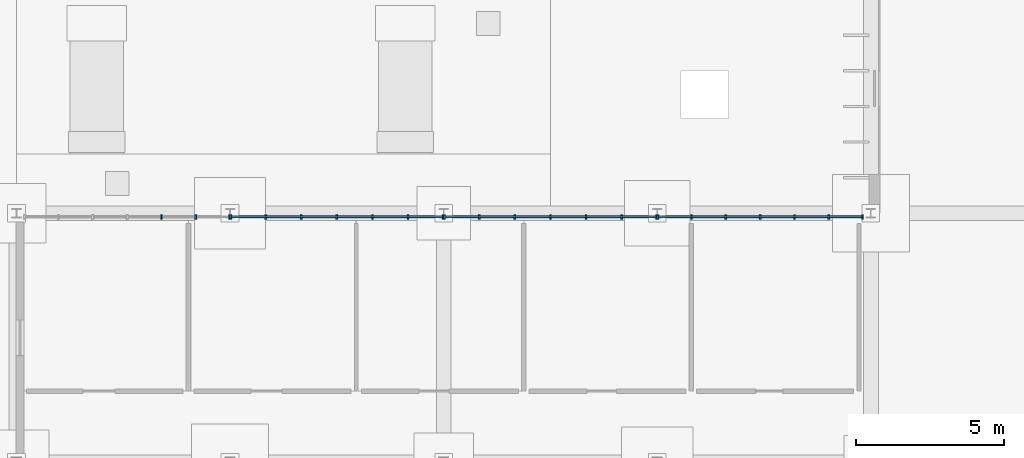
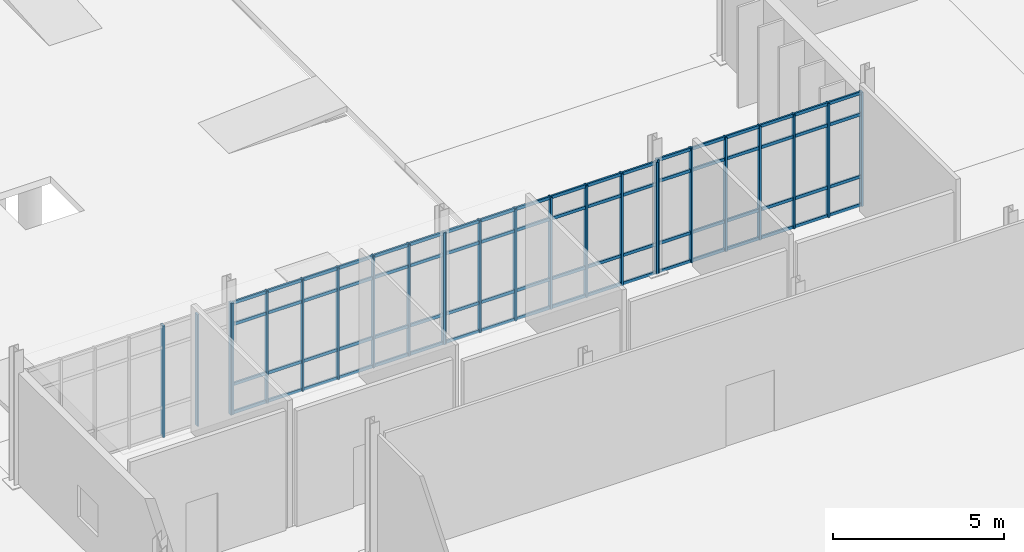
# One storey, part 36 of 118: 36 members, 4 elements without a shape of their own.
"""IFC4 building model written with IfcOpenShell, lengths in metres."""

from ifc_helpers import new_model, si_unit, direction, frame, origin, origin_2d, place, context, subcontext, project, spatial, rectangle, extrude, material, material_profile, profile_set, type_object, element, aggregate, save


model = new_model("IFC4")

# Units and contexts
model_context = context("Model", 3, precision=1e-05, world=origin(), true_north=direction((0.0, 1.0)))
body_context = subcontext(model_context, "Body", "Model", "MODEL_VIEW")
ifc_project = project(units=[si_unit("LENGTHUNIT", "METRE"), si_unit("AREAUNIT", "SQUARE_METRE"), si_unit("VOLUMEUNIT", "CUBIC_METRE"), si_unit("PLANEANGLEUNIT", "RADIAN"), si_unit("MASSUNIT", "GRAM", prefix="KILO")], contexts=[model_context])

# Site, building, storey
site_placement = place(None, origin())
site = spatial("IfcSite", under=ifc_project, at=site_placement, CompositionType="ELEMENT")
building_placement = place(site_placement, origin())
building = spatial("IfcBuilding", under=site, at=building_placement, Name="Qelthora Terrace Specialist Clinic", CompositionType="ELEMENT")
storey_placement = place(building_placement, origin())
storey = spatial("IfcBuildingStorey", under=building, at=storey_placement, Name="L00", CompositionType="ELEMENT", Elevation=0.0)

# Curtain wall, members
ifc_material = material(Name="Aluminium anodized bronze", Category="aluminium")
curtain_wall_type = type_object("IfcCurtainWallType", Name="CW-HALL-L00", PredefinedType="NOTDEFINED", material=ifc_material)
curtain_wall_1_placement = place(storey_placement, origin())
curtain_wall_1 = element("IfcCurtainWall", 1, at=curtain_wall_1_placement, inside=storey, type_object=curtain_wall_type, Name="Curtain wall CW-L00-201", PredefinedType="NOTDEFINED")
ifc_material_profile_1 = material_profile(ifc_material, rectangle(XDim=0.06005859375, YDim=0.14990234375, at=origin_2d()), Name="CWM60X150")
ifc_profile_set_1 = profile_set([ifc_material_profile_1], Name="Aluminium anodized bronze")
member_type_1 = type_object("IfcMemberType", Name="CWM-60X150", PredefinedType="MULLION", material=ifc_profile_set_1)
member_1_placement = place(storey_placement, frame((62.486572265625, 33.47998046875, 0.0), z_axis=(0.0, 0.0, 1.0), x_axis=(1.0, 0.0, 0.0)))
member_1 = element("IfcMember", 2, at=member_1_placement, type_object=member_type_1, Name="CW-L00-201 mullion 5", PredefinedType="MULLION", context=body_context, shape_type="SweptSolid", body=[
    extrude(rectangle(XDim=0.06005859375, YDim=0.14990234375, at=origin_2d()), origin(), (0.0, 0.0, 1.0), 3.998046875),
])
member_2_placement = place(storey_placement, frame((63.643310546875, 33.47998046875, 0.0), z_axis=(0.0, 0.0, 1.0), x_axis=(1.0, 0.0, 0.0)))
member_2 = element("IfcMember", 3, at=member_2_placement, type_object=member_type_1, Name="CW-L00-201 mullion 6", PredefinedType="MULLION", context=body_context, shape_type="SweptSolid", body=[
    extrude(rectangle(XDim=0.06005859375, YDim=0.14990234375, at=origin_2d()), origin(), (0.0, 0.0, 1.0), 3.998046875),
])
member_3_placement = place(storey_placement, frame((64.780029296875, 33.47998046875, 0.0), z_axis=(0.0, 0.0, 1.0), x_axis=(1.0, 0.0, 0.0)))
member_3 = element("IfcMember", 4, at=member_3_placement, type_object=member_type_1, Name="CW-L00-201 mullion 7", PredefinedType="MULLION", context=body_context, shape_type="SweptSolid", body=[
    extrude(rectangle(XDim=0.06005859375, YDim=0.14990234375, at=origin_2d()), origin(), (0.0, 0.0, 1.0), 3.998046875),
])
aggregate(curtain_wall_1, [member_1, member_2, member_3])

curtain_wall_2_placement = place(storey_placement, origin())
curtain_wall_2 = element("IfcCurtainWall", 5, at=curtain_wall_2_placement, inside=storey, type_object=curtain_wall_type, Name="Curtain wall CW-L00-202", PredefinedType="NOTDEFINED")
member_4_placement = place(storey_placement, frame((64.820068359375, 33.47998046875, 0.0), z_axis=(0.0, 0.0, 1.0), x_axis=(1.0, 0.0, 0.0)))
member_4 = element("IfcMember", 6, at=member_4_placement, type_object=member_type_1, Name="CW-L00-202 mullion 1", PredefinedType="MULLION", context=body_context, shape_type="SweptSolid", body=[
    extrude(rectangle(XDim=0.06005859375, YDim=0.14990234375, at=origin_2d()), origin(), (0.0, 0.0, 1.0), 3.998046875),
])
member_5_placement = place(storey_placement, frame((66.0, 33.47998046875, 0.0), z_axis=(0.0, 0.0, 1.0), x_axis=(1.0, 0.0, 0.0)))
member_5 = element("IfcMember", 7, at=member_5_placement, type_object=member_type_1, Name="CW-L00-202 mullion 2", PredefinedType="MULLION", context=body_context, shape_type="SweptSolid", body=[
    extrude(rectangle(XDim=0.06005859375, YDim=0.14990234375, at=origin_2d()), origin(), (0.0, 0.0, 1.0), 3.998046875),
])
member_6_placement = place(storey_placement, frame((67.199951171875, 33.47998046875, 0.0), z_axis=(0.0, 0.0, 1.0), x_axis=(1.0, 0.0, 0.0)))
member_6 = element("IfcMember", 8, at=member_6_placement, type_object=member_type_1, Name="CW-L00-202 mullion 3", PredefinedType="MULLION", context=body_context, shape_type="SweptSolid", body=[
    extrude(rectangle(XDim=0.06005859375, YDim=0.14990234375, at=origin_2d()), origin(), (0.0, 0.0, 1.0), 3.998046875),
])
member_7_placement = place(storey_placement, frame((68.39990234375, 33.47998046875, 0.0), z_axis=(0.0, 0.0, 1.0), x_axis=(1.0, 0.0, 0.0)))
member_7 = element("IfcMember", 9, at=member_7_placement, type_object=member_type_1, Name="CW-L00-202 mullion 4", PredefinedType="MULLION", context=body_context, shape_type="SweptSolid", body=[
    extrude(rectangle(XDim=0.06005859375, YDim=0.14990234375, at=origin_2d()), origin(), (0.0, 0.0, 1.0), 3.998046875),
])
member_8_placement = place(storey_placement, frame((69.60009765625, 33.47998046875, 0.0), z_axis=(0.0, 0.0, 1.0), x_axis=(1.0, 0.0, 0.0)))
member_8 = element("IfcMember", 10, at=member_8_placement, type_object=member_type_1, Name="CW-L00-202 mullion 5", PredefinedType="MULLION", context=body_context, shape_type="SweptSolid", body=[
    extrude(rectangle(XDim=0.06005859375, YDim=0.14990234375, at=origin_2d()), origin(), (0.0, 0.0, 1.0), 3.998046875),
])
member_9_placement = place(storey_placement, frame((70.800048828125, 33.47998046875, 0.0), z_axis=(0.0, 0.0, 1.0), x_axis=(1.0, 0.0, 0.0)))
member_9 = element("IfcMember", 11, at=member_9_placement, type_object=member_type_1, Name="CW-L00-202 mullion 6", PredefinedType="MULLION", context=body_context, shape_type="SweptSolid", body=[
    extrude(rectangle(XDim=0.06005859375, YDim=0.14990234375, at=origin_2d()), origin(), (0.0, 0.0, 1.0), 3.998046875),
])
member_10_placement = place(storey_placement, frame((71.97998046875, 33.47998046875, 0.0), z_axis=(0.0, 0.0, 1.0), x_axis=(1.0, 0.0, 0.0)))
member_10 = element("IfcMember", 12, at=member_10_placement, type_object=member_type_1, Name="CW-L00-202 mullion 7", PredefinedType="MULLION", context=body_context, shape_type="SweptSolid", body=[
    extrude(rectangle(XDim=0.06005859375, YDim=0.14990234375, at=origin_2d()), origin(), (0.0, 0.0, 1.0), 3.998046875),
])

curtain_wall_3_placement = place(storey_placement, origin())
curtain_wall_3 = element("IfcCurtainWall", 13, at=curtain_wall_3_placement, inside=storey, type_object=curtain_wall_type, Name="Curtain wall CW-L00-203", PredefinedType="NOTDEFINED")
member_11_placement = place(storey_placement, frame((72.02001953125, 33.47998046875, 0.0), z_axis=(0.0, 0.0, 1.0), x_axis=(1.0, 0.0, 0.0)))
member_11 = element("IfcMember", 14, at=member_11_placement, type_object=member_type_1, Name="CW-L00-203 mullion 1", PredefinedType="MULLION", context=body_context, shape_type="SweptSolid", body=[
    extrude(rectangle(XDim=0.06005859375, YDim=0.14990234375, at=origin_2d()), origin(), (0.0, 0.0, 1.0), 4.0048828125),
])
member_12_placement = place(storey_placement, frame((73.199951171875, 33.47998046875, 0.0), z_axis=(0.0, 0.0, 1.0), x_axis=(1.0, 0.0, 0.0)))
member_12 = element("IfcMember", 15, at=member_12_placement, type_object=member_type_1, Name="CW-L00-203 mullion 2", PredefinedType="MULLION", context=body_context, shape_type="SweptSolid", body=[
    extrude(rectangle(XDim=0.06005859375, YDim=0.14990234375, at=origin_2d()), origin(), (0.0, 0.0, 1.0), 4.0048828125),
])
member_13_placement = place(storey_placement, frame((74.39990234375, 33.47998046875, 0.0), z_axis=(0.0, 0.0, 1.0), x_axis=(1.0, 0.0, 0.0)))
member_13 = element("IfcMember", 16, at=member_13_placement, type_object=member_type_1, Name="CW-L00-203 mullion 3", PredefinedType="MULLION", context=body_context, shape_type="SweptSolid", body=[
    extrude(rectangle(XDim=0.06005859375, YDim=0.14990234375, at=origin_2d()), origin(), (0.0, 0.0, 1.0), 4.0048828125),
])
member_14_placement = place(storey_placement, frame((75.60009765625, 33.47998046875, 0.0), z_axis=(0.0, 0.0, 1.0), x_axis=(1.0, 0.0, 0.0)))
member_14 = element("IfcMember", 17, at=member_14_placement, type_object=member_type_1, Name="CW-L00-203 mullion 4", PredefinedType="MULLION", context=body_context, shape_type="SweptSolid", body=[
    extrude(rectangle(XDim=0.06005859375, YDim=0.14990234375, at=origin_2d()), origin(), (0.0, 0.0, 1.0), 4.0048828125),
])
member_15_placement = place(storey_placement, frame((76.800048828125, 33.47998046875, 0.0), z_axis=(0.0, 0.0, 1.0), x_axis=(1.0, 0.0, 0.0)))
member_15 = element("IfcMember", 18, at=member_15_placement, type_object=member_type_1, Name="CW-L00-203 mullion 5", PredefinedType="MULLION", context=body_context, shape_type="SweptSolid", body=[
    extrude(rectangle(XDim=0.06005859375, YDim=0.14990234375, at=origin_2d()), origin(), (0.0, 0.0, 1.0), 4.0048828125),
])
member_16_placement = place(storey_placement, frame((78.0, 33.47998046875, 0.0), z_axis=(0.0, 0.0, 1.0), x_axis=(1.0, 0.0, 0.0)))
member_16 = element("IfcMember", 19, at=member_16_placement, type_object=member_type_1, Name="CW-L00-203 mullion 6", PredefinedType="MULLION", context=body_context, shape_type="SweptSolid", body=[
    extrude(rectangle(XDim=0.06005859375, YDim=0.14990234375, at=origin_2d()), origin(), (0.0, 0.0, 1.0), 4.0048828125),
])
member_17_placement = place(storey_placement, frame((79.179931640625, 33.47998046875, 0.0), z_axis=(0.0, 0.0, 1.0), x_axis=(1.0, 0.0, 0.0)))
member_17 = element("IfcMember", 20, at=member_17_placement, type_object=member_type_1, Name="CW-L00-203 mullion 7", PredefinedType="MULLION", context=body_context, shape_type="SweptSolid", body=[
    extrude(rectangle(XDim=0.06005859375, YDim=0.14990234375, at=origin_2d()), origin(), (0.0, 0.0, 1.0), 4.0048828125),
])

curtain_wall_4_placement = place(storey_placement, origin())
curtain_wall_4 = element("IfcCurtainWall", 21, at=curtain_wall_4_placement, inside=storey, type_object=curtain_wall_type, Name="Curtain wall CW-L00-204", PredefinedType="NOTDEFINED")
member_18_placement = place(storey_placement, frame((79.219970703125, 33.47998046875, 0.0), z_axis=(0.0, 0.0, 1.0), x_axis=(1.0, 0.0, 0.0)))
member_18 = element("IfcMember", 22, at=member_18_placement, type_object=member_type_1, Name="CW-L00-204 mullion 1", PredefinedType="MULLION", context=body_context, shape_type="SweptSolid", body=[
    extrude(rectangle(XDim=0.06005859375, YDim=0.14990234375, at=origin_2d()), origin(), (0.0, 0.0, 1.0), 4.075927734375),
])
member_19_placement = place(storey_placement, frame((80.356689453125, 33.47998046875, 0.0), z_axis=(0.0, 0.0, 1.0), x_axis=(1.0, 0.0, 0.0)))
member_19 = element("IfcMember", 23, at=member_19_placement, type_object=member_type_1, Name="CW-L00-204 mullion 2", PredefinedType="MULLION", context=body_context, shape_type="SweptSolid", body=[
    extrude(rectangle(XDim=0.06005859375, YDim=0.14990234375, at=origin_2d()), origin(), (0.0, 0.0, 1.0), 4.075927734375),
])
member_20_placement = place(storey_placement, frame((81.513427734375, 33.47998046875, 0.0), z_axis=(0.0, 0.0, 1.0), x_axis=(1.0, 0.0, 0.0)))
member_20 = element("IfcMember", 24, at=member_20_placement, type_object=member_type_1, Name="CW-L00-204 mullion 3", PredefinedType="MULLION", context=body_context, shape_type="SweptSolid", body=[
    extrude(rectangle(XDim=0.06005859375, YDim=0.14990234375, at=origin_2d()), origin(), (0.0, 0.0, 1.0), 4.075927734375),
])
member_21_placement = place(storey_placement, frame((82.669921875, 33.47998046875, 0.0), z_axis=(0.0, 0.0, 1.0), x_axis=(1.0, 0.0, 0.0)))
member_21 = element("IfcMember", 25, at=member_21_placement, type_object=member_type_1, Name="CW-L00-204 mullion 4", PredefinedType="MULLION", context=body_context, shape_type="SweptSolid", body=[
    extrude(rectangle(XDim=0.06005859375, YDim=0.14990234375, at=origin_2d()), origin(), (0.0, 0.0, 1.0), 4.075927734375),
])
member_22_placement = place(storey_placement, frame((83.82666015625, 33.47998046875, 0.0), z_axis=(0.0, 0.0, 1.0), x_axis=(1.0, 0.0, 0.0)))
member_22 = element("IfcMember", 26, at=member_22_placement, type_object=member_type_1, Name="CW-L00-204 mullion 5", PredefinedType="MULLION", context=body_context, shape_type="SweptSolid", body=[
    extrude(rectangle(XDim=0.06005859375, YDim=0.14990234375, at=origin_2d()), origin(), (0.0, 0.0, 1.0), 4.075927734375),
])
member_23_placement = place(storey_placement, frame((84.9833984375, 33.47998046875, 0.0), z_axis=(0.0, 0.0, 1.0), x_axis=(1.0, 0.0, 0.0)))
member_23 = element("IfcMember", 27, at=member_23_placement, type_object=member_type_1, Name="CW-L00-204 mullion 6", PredefinedType="MULLION", context=body_context, shape_type="SweptSolid", body=[
    extrude(rectangle(XDim=0.06005859375, YDim=0.14990234375, at=origin_2d()), origin(), (0.0, 0.0, 1.0), 4.075927734375),
])
member_24_placement = place(storey_placement, frame((86.1201171875, 33.47998046875, 0.0), z_axis=(0.0, 0.0, 1.0), x_axis=(1.0, 0.0, 0.0)))
member_24 = element("IfcMember", 28, at=member_24_placement, type_object=member_type_1, Name="CW-L00-204 mullion 7", PredefinedType="MULLION", context=body_context, shape_type="SweptSolid", body=[
    extrude(rectangle(XDim=0.06005859375, YDim=0.14990234375, at=origin_2d()), origin(), (0.0, 0.0, 1.0), 4.075927734375),
])

# Member
ifc_material_profile_2 = material_profile(ifc_material, rectangle(XDim=0.06005859375, YDim=0.110107421875, at=origin_2d()), Name="CWT60X110")
ifc_profile_set_2 = profile_set([ifc_material_profile_2], Name="Aluminium anodized bronze")
member_type_2 = type_object("IfcMemberType", Name="CWT-60X110", PredefinedType="USERDEFINED", material=ifc_profile_set_2)
member_25_placement = place(storey_placement, frame((64.840087890625, 33.47998046875, 0.0400390625), z_axis=(1.0, 0.0, 0.0), x_axis=(0.0, 1.0, 0.0)))
member_25 = element("IfcMember", 29, at=member_25_placement, type_object=member_type_2, Name="CW-L00-202 transom 1", ObjectType="TRANSOM", PredefinedType="USERDEFINED", context=body_context, shape_type="SweptSolid", body=[
    extrude(rectangle(XDim=0.06005859375, YDim=0.110107421875, at=origin_2d()), origin(), (0.0, 0.0, 1.0), 7.119873046875),
])

member_26_placement = place(storey_placement, frame((64.840087890625, 33.47998046875, 1.050048828125), z_axis=(1.0, 0.0, 0.0), x_axis=(0.0, 1.0, 0.0)))
member_26 = element("IfcMember", 30, at=member_26_placement, type_object=member_type_2, Name="CW-L00-202 transom 2", ObjectType="TRANSOM", PredefinedType="USERDEFINED", context=body_context, shape_type="SweptSolid", body=[
    extrude(rectangle(XDim=0.06005859375, YDim=0.110107421875, at=origin_2d()), origin(), (0.0, 0.0, 1.0), 7.119873046875),
])

member_27_placement = place(storey_placement, frame((64.840087890625, 33.47998046875, 3.197998046875), z_axis=(1.0, 0.0, 0.0), x_axis=(0.0, 1.0, 0.0)))
member_27 = element("IfcMember", 31, at=member_27_placement, type_object=member_type_2, Name="CW-L00-202 transom 3", ObjectType="TRANSOM", PredefinedType="USERDEFINED", context=body_context, shape_type="SweptSolid", body=[
    extrude(rectangle(XDim=0.06005859375, YDim=0.110107421875, at=origin_2d()), origin(), (0.0, 0.0, 1.0), 7.119873046875),
])

member_28_placement = place(storey_placement, frame((64.840087890625, 33.47998046875, 3.9580078125), z_axis=(1.0, 0.0, 0.0), x_axis=(0.0, 1.0, 0.0)))
member_28 = element("IfcMember", 32, at=member_28_placement, type_object=member_type_2, Name="CW-L00-202 transom 4", ObjectType="TRANSOM", PredefinedType="USERDEFINED", context=body_context, shape_type="SweptSolid", body=[
    extrude(rectangle(XDim=0.06005859375, YDim=0.110107421875, at=origin_2d()), origin(), (0.0, 0.0, 1.0), 7.119873046875),
])

aggregate(curtain_wall_2, [member_4, member_5, member_6, member_7, member_8, member_9, member_10, member_25, member_26, member_27, member_28])

member_29_placement = place(storey_placement, frame((72.0400390625, 33.47998046875, 0.0400390625), z_axis=(1.0, 0.0, 0.0), x_axis=(0.0, 1.0, 0.0)))
member_29 = element("IfcMember", 33, at=member_29_placement, type_object=member_type_2, Name="CW-L00-203 transom 1", ObjectType="TRANSOM", PredefinedType="USERDEFINED", context=body_context, shape_type="SweptSolid", body=[
    extrude(rectangle(XDim=0.06005859375, YDim=0.110107421875, at=origin_2d()), origin(), (0.0, 0.0, 1.0), 7.119873046875),
])

member_30_placement = place(storey_placement, frame((72.0400390625, 33.47998046875, 1.050048828125), z_axis=(1.0, 0.0, 0.0), x_axis=(0.0, 1.0, 0.0)))
member_30 = element("IfcMember", 34, at=member_30_placement, type_object=member_type_2, Name="CW-L00-203 transom 2", ObjectType="TRANSOM", PredefinedType="USERDEFINED", context=body_context, shape_type="SweptSolid", body=[
    extrude(rectangle(XDim=0.06005859375, YDim=0.110107421875, at=origin_2d()), origin(), (0.0, 0.0, 1.0), 7.119873046875),
])

member_31_placement = place(storey_placement, frame((72.0400390625, 33.47998046875, 3.205078125), z_axis=(1.0, 0.0, 0.0), x_axis=(0.0, 1.0, 0.0)))
member_31 = element("IfcMember", 35, at=member_31_placement, type_object=member_type_2, Name="CW-L00-203 transom 3", ObjectType="TRANSOM", PredefinedType="USERDEFINED", context=body_context, shape_type="SweptSolid", body=[
    extrude(rectangle(XDim=0.06005859375, YDim=0.110107421875, at=origin_2d()), origin(), (0.0, 0.0, 1.0), 7.119873046875),
])

member_32_placement = place(storey_placement, frame((72.0400390625, 33.47998046875, 3.965087890625), z_axis=(1.0, 0.0, 0.0), x_axis=(0.0, 1.0, 0.0)))
member_32 = element("IfcMember", 36, at=member_32_placement, type_object=member_type_2, Name="CW-L00-203 transom 4", ObjectType="TRANSOM", PredefinedType="USERDEFINED", context=body_context, shape_type="SweptSolid", body=[
    extrude(rectangle(XDim=0.06005859375, YDim=0.110107421875, at=origin_2d()), origin(), (0.0, 0.0, 1.0), 7.119873046875),
])

aggregate(curtain_wall_3, [member_11, member_12, member_13, member_14, member_15, member_16, member_17, member_29, member_30, member_31, member_32])

member_33_placement = place(storey_placement, frame((79.239990234375, 33.47998046875, 0.0400390625), z_axis=(1.0, 0.0, 0.0), x_axis=(0.0, 1.0, 0.0)))
member_33 = element("IfcMember", 37, at=member_33_placement, type_object=member_type_2, Name="CW-L00-204 transom 1", ObjectType="TRANSOM", PredefinedType="USERDEFINED", context=body_context, shape_type="SweptSolid", body=[
    extrude(rectangle(XDim=0.06005859375, YDim=0.110107421875, at=origin_2d()), origin(), (0.0, 0.0, 1.0), 6.860107421875),
])

member_34_placement = place(storey_placement, frame((79.239990234375, 33.47998046875, 1.050048828125), z_axis=(1.0, 0.0, 0.0), x_axis=(0.0, 1.0, 0.0)))
member_34 = element("IfcMember", 38, at=member_34_placement, type_object=member_type_2, Name="CW-L00-204 transom 2", ObjectType="TRANSOM", PredefinedType="USERDEFINED", context=body_context, shape_type="SweptSolid", body=[
    extrude(rectangle(XDim=0.06005859375, YDim=0.110107421875, at=origin_2d()), origin(), (0.0, 0.0, 1.0), 6.860107421875),
])

member_35_placement = place(storey_placement, frame((79.239990234375, 33.47998046875, 3.27587890625), z_axis=(1.0, 0.0, 0.0), x_axis=(0.0, 1.0, 0.0)))
member_35 = element("IfcMember", 39, at=member_35_placement, type_object=member_type_2, Name="CW-L00-204 transom 3", ObjectType="TRANSOM", PredefinedType="USERDEFINED", context=body_context, shape_type="SweptSolid", body=[
    extrude(rectangle(XDim=0.06005859375, YDim=0.110107421875, at=origin_2d()), origin(), (0.0, 0.0, 1.0), 6.860107421875),
])

member_36_placement = place(storey_placement, frame((79.239990234375, 33.47998046875, 4.035888671875), z_axis=(1.0, 0.0, 0.0), x_axis=(0.0, 1.0, 0.0)))
member_36 = element("IfcMember", 40, at=member_36_placement, type_object=member_type_2, Name="CW-L00-204 transom 4", ObjectType="TRANSOM", PredefinedType="USERDEFINED", context=body_context, shape_type="SweptSolid", body=[
    extrude(rectangle(XDim=0.06005859375, YDim=0.110107421875, at=origin_2d()), origin(), (0.0, 0.0, 1.0), 6.860107421875),
])

aggregate(curtain_wall_4, [member_18, member_19, member_20, member_21, member_22, member_23, member_24, member_33, member_34, member_35, member_36])

save(model, "model.ifc")
